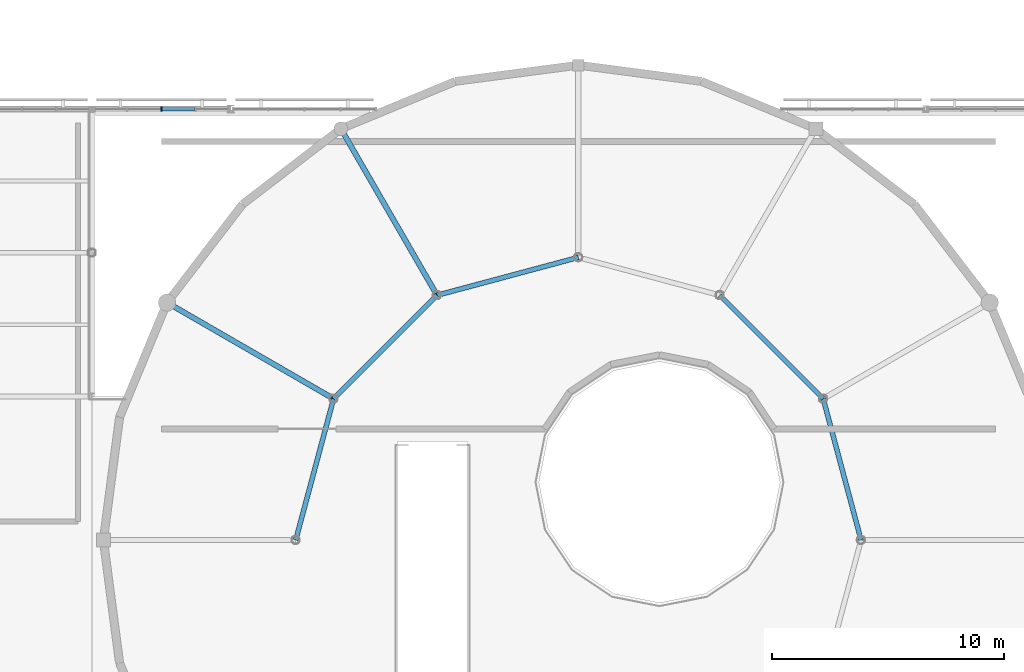
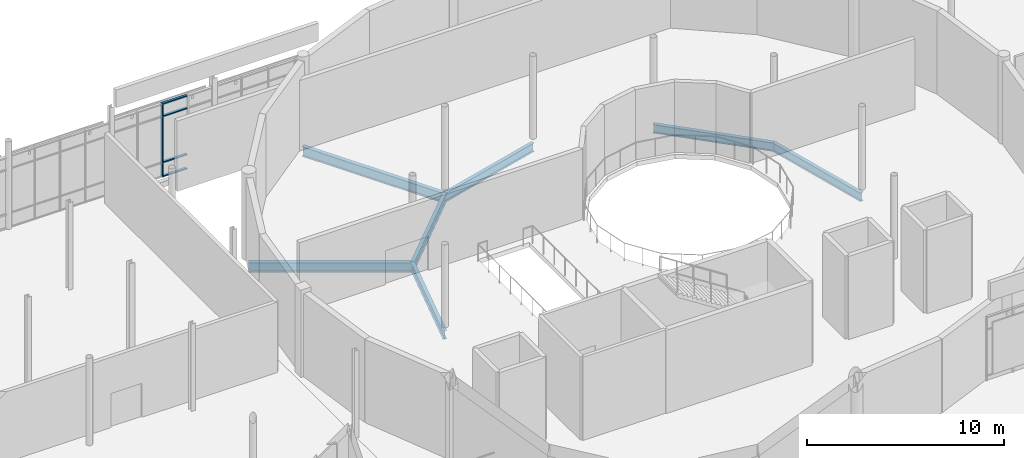
# One storey, part 38 of 105: 7 beams, 5 members, 1 element without a shape of its own.
"""IFC4 building model written with IfcOpenShell, lengths in metres."""

from ifc_helpers import new_model, si_unit, direction, frame, origin, origin_2d, place, context, subcontext, project, spatial, rectangle, i_section, extrude, material, layer, layer_set, material_profile, profile_set, type_object, element, aggregate, save


model = new_model("IFC4")

# Units and contexts
model_context = context("Model", 3, precision=1e-05, world=origin(), true_north=direction((0.0, 1.0)))
body_context = subcontext(model_context, "Body", "Model", "MODEL_VIEW")
ifc_project = project(units=[si_unit("LENGTHUNIT", "METRE"), si_unit("AREAUNIT", "SQUARE_METRE"), si_unit("VOLUMEUNIT", "CUBIC_METRE"), si_unit("PLANEANGLEUNIT", "RADIAN"), si_unit("MASSUNIT", "GRAM", prefix="KILO")], contexts=[model_context])

# Site, building, storey
site_placement = place(None, origin())
site = spatial("IfcSite", under=ifc_project, at=site_placement, CompositionType="ELEMENT")
building_placement = place(site_placement, origin())
building = spatial("IfcBuilding", under=site, at=building_placement, Name="Mirzam Square Science Centre", CompositionType="ELEMENT")
storey_placement = place(building_placement, frame((0.0, 0.0, 5.39990234375)))
storey = spatial("IfcBuildingStorey", under=building, at=storey_placement, Name="L01", CompositionType="ELEMENT", Elevation=5.39990234375)

# Beams
ifc_material_1 = material(Name="Steel S355", Category="steel")
ifc_material_profile_1 = material_profile(ifc_material_1, i_section(OverallWidth=0.2099609375, OverallDepth=0.53662109375, WebThickness=0.0107421875, FlangeThickness=0.017333984375, FilletRadius=0.0126953125, at=origin_2d()), Name="533x210x101UB")
ifc_profile_set_1 = profile_set([ifc_material_profile_1], Name="Steel S355")
beam_type_1 = type_object("IfcBeamType", Name="BM-UB533", PredefinedType="BEAM", material=ifc_profile_set_1)
beam_1_placement = place(storey_placement, frame((93.199951171875, 62.0, -0.548095703125), z_axis=(-0.25881981979, 0.965925618712, 0.0), x_axis=(-0.965925618712, -0.25881981979, 0.0)))
element("IfcBeam", 1, at=beam_1_placement, inside=storey, type_object=beam_type_1, Name="L01 inner drum ring girder 01", PredefinedType="BEAM", context=body_context, shape_type="SweptSolid", body=[
    extrude(i_section(OverallWidth=0.2099609375, OverallDepth=0.53662109375, WebThickness=0.0107421875, FlangeThickness=0.017333984375, FilletRadius=0.0126953125, at=origin_2d()), origin(), (0.0, 0.0, 1.0), 6.315185546875),
])
beam_2_placement = place(storey_placement, frame((91.5654296875, 68.10009765625, -0.548095703125), z_axis=(-0.707106781187, 0.707106781187, 0.0), x_axis=(-0.707106781187, -0.707106781187, 0.0)))
element("IfcBeam", 2, at=beam_2_placement, inside=storey, type_object=beam_type_1, Name="L01 inner drum ring girder 02", PredefinedType="BEAM", context=body_context, shape_type="SweptSolid", body=[
    extrude(i_section(OverallWidth=0.2099609375, OverallDepth=0.53662109375, WebThickness=0.0107421875, FlangeThickness=0.017333984375, FilletRadius=0.0126953125, at=origin_2d()), origin(), (0.0, 0.0, 1.0), 6.31494140625),
])
beam_3_placement = place(storey_placement, frame((81.0, 74.199951171875, -0.548095703125), z_axis=(-0.965925618712, -0.25881981979, 0.0), x_axis=(0.25881981979, -0.965925618712, 0.0)))
element("IfcBeam", 3, at=beam_3_placement, inside=storey, type_object=beam_type_1, Name="L01 inner drum ring girder 04", PredefinedType="BEAM", context=body_context, shape_type="SweptSolid", body=[
    extrude(i_section(OverallWidth=0.2099609375, OverallDepth=0.53662109375, WebThickness=0.0107421875, FlangeThickness=0.017333984375, FilletRadius=0.0126953125, at=origin_2d()), origin(), (0.0, 0.0, 1.0), 6.315185546875),
])
beam_4_placement = place(storey_placement, frame((74.89990234375, 72.5654296875, -0.548095703125), z_axis=(-0.707106781187, -0.707106781187, 0.0), x_axis=(0.707106781187, -0.707106781187, 0.0)))
element("IfcBeam", 4, at=beam_4_placement, inside=storey, type_object=beam_type_1, Name="L01 inner drum ring girder 05", PredefinedType="BEAM", context=body_context, shape_type="SweptSolid", body=[
    extrude(i_section(OverallWidth=0.2099609375, OverallDepth=0.53662109375, WebThickness=0.0107421875, FlangeThickness=0.017333984375, FilletRadius=0.0126953125, at=origin_2d()), origin(), (0.0, 0.0, 1.0), 6.31494140625),
])
beam_5_placement = place(storey_placement, frame((70.4345703125, 68.10009765625, -0.548095703125), z_axis=(-0.25881981979, -0.965925618712, 0.0), x_axis=(0.965925618712, -0.25881981979, 0.0)))
element("IfcBeam", 5, at=beam_5_placement, inside=storey, type_object=beam_type_1, Name="L01 inner drum ring girder 06", PredefinedType="BEAM", context=body_context, shape_type="SweptSolid", body=[
    extrude(i_section(OverallWidth=0.2099609375, OverallDepth=0.53662109375, WebThickness=0.0107421875, FlangeThickness=0.017333984375, FilletRadius=0.0126953125, at=origin_2d()), origin(), (0.0, 0.0, 1.0), 6.315185546875),
])
ifc_material_profile_2 = material_profile(ifc_material_1, i_section(OverallWidth=0.22900390625, OverallDepth=0.6123046875, WebThickness=0.011962890625, FlangeThickness=0.01953125, FilletRadius=0.0126953125, at=origin_2d()), Name="610x229x125UB")
ifc_profile_set_2 = profile_set([ifc_material_profile_2], Name="Steel S355")
beam_type_2 = type_object("IfcBeamType", Name="BM-UB610", PredefinedType="BEAM", material=ifc_profile_set_2)
for number, where, z_axis, x_axis, name in (
    (6, (74.89990234375, 72.5654296875, -0.5859375), (-0.499992353047, 0.86602981871, 0.0), (-0.86602981871, -0.499992353047, 0.0), "L01 drum radial girder 05"),
    (7, (70.4345703125, 68.10009765625, -0.5859375), (-0.86602981871, 0.499992353047, 0.0), (-0.499992353047, -0.86602981871, 0.0), "L01 drum radial girder 06"),
):
    element("IfcBeam", number, at=place(storey_placement, frame(where, z_axis=z_axis, x_axis=x_axis)), inside=storey, type_object=beam_type_2, Name=name, PredefinedType="BEAM", context=body_context, shape_type="SweptSolid", body=[
        extrude(i_section(OverallWidth=0.22900390625, OverallDepth=0.6123046875, WebThickness=0.011962890625, FlangeThickness=0.01953125, FilletRadius=0.0126953125, at=origin_2d()), origin(), (0.0, 0.0, 1.0), 8.300048828125),
    ])

# Curtain wall, members
ifc_material_2 = material(Name="Anodised Aluminium and Low-E Solar Glass", Category="aluminium")
ifc_layer = layer(ifc_material_2, 0.159912109375)
ifc_layer_set = layer_set([ifc_layer], Name="CW-COURT-A")
curtain_wall_type = type_object("IfcCurtainWallType", Name="CW-COURT-A", PredefinedType="USERDEFINED", material=ifc_layer_set)
curtain_wall_placement = place(storey_placement, origin())
curtain_wall = element("IfcCurtainWall", 8, at=curtain_wall_placement, inside=storey, type_object=curtain_wall_type, Name="L01 unitised curtain wall 50", ObjectType="UNITISED CURTAIN WALL", PredefinedType="USERDEFINED")
ifc_material_3 = material(Name="Anodised Architectural Aluminium 6063-T6", Category="aluminium")
ifc_material_profile_3 = material_profile(ifc_material_3, rectangle(XDim=0.06494140625, YDim=0.199951171875, at=origin_2d()), Name="ALU-MULL-200x65x5")
ifc_profile_set_3 = profile_set([ifc_material_profile_3], Name="Anodised Architectural Aluminium 6063-T6")
member_type_1 = type_object("IfcMemberType", Name="CWM-200", PredefinedType="MULLION", material=ifc_profile_set_3)
member_1_placement = place(storey_placement, frame((63.0, 80.60009765625, 0.0), z_axis=(0.0, 0.0, 1.0), x_axis=(-1.0, 0.0, 0.0)))
member_1 = element("IfcMember", 9, at=member_1_placement, type_object=member_type_1, Name="CW-03 mullion 3", PredefinedType="MULLION", context=body_context, shape_type="SweptSolid", body=[
    extrude(rectangle(XDim=0.06494140625, YDim=0.199951171875, at=origin_2d()), origin(), (0.0, 0.0, 1.0), 4.550048828125),
])
ifc_material_profile_4 = material_profile(ifc_material_3, rectangle(XDim=0.14990234375, YDim=0.06494140625, at=origin_2d()), Name="ALU-TRAN-150x65x4")
ifc_profile_set_4 = profile_set([ifc_material_profile_4], Name="Anodised Architectural Aluminium 6063-T6")
member_type_2 = type_object("IfcMemberType", Name="CWT-150", PredefinedType="USERDEFINED", material=ifc_profile_set_4)
member_2_placement = place(storey_placement, frame((64.43994140625, 80.60009765625, 0.03271484375), z_axis=(-1.0, 0.0, 0.0), x_axis=(0.0, -1.0, 0.0)))
member_2 = element("IfcMember", 10, at=member_2_placement, type_object=member_type_2, Name="CW-03 transom 2.1", ObjectType="TRANSOM", PredefinedType="USERDEFINED", context=body_context, shape_type="SweptSolid", body=[
    extrude(rectangle(XDim=0.14990234375, YDim=0.06494140625, at=origin_2d()), origin(), (0.0, 0.0, 1.0), 1.407470703125),
])
member_3_placement = place(storey_placement, frame((64.43994140625, 80.60009765625, 0.900146484375), z_axis=(-1.0, 0.0, 0.0), x_axis=(0.0, -1.0, 0.0)))
member_3 = element("IfcMember", 11, at=member_3_placement, type_object=member_type_2, Name="CW-03 transom 2.2", ObjectType="TRANSOM", PredefinedType="USERDEFINED", context=body_context, shape_type="SweptSolid", body=[
    extrude(rectangle(XDim=0.14990234375, YDim=0.06494140625, at=origin_2d()), origin(), (0.0, 0.0, 1.0), 1.407470703125),
])
member_4_placement = place(storey_placement, frame((64.43994140625, 80.60009765625, 3.75), z_axis=(-1.0, 0.0, 0.0), x_axis=(0.0, -1.0, 0.0)))
member_4 = element("IfcMember", 12, at=member_4_placement, type_object=member_type_2, Name="CW-03 transom 2.3", ObjectType="TRANSOM", PredefinedType="USERDEFINED", context=body_context, shape_type="SweptSolid", body=[
    extrude(rectangle(XDim=0.14990234375, YDim=0.06494140625, at=origin_2d()), origin(), (0.0, 0.0, 1.0), 1.407470703125),
])
member_5_placement = place(storey_placement, frame((64.43994140625, 80.60009765625, 4.517578125), z_axis=(-1.0, 0.0, 0.0), x_axis=(0.0, -1.0, 0.0)))
member_5 = element("IfcMember", 13, at=member_5_placement, type_object=member_type_2, Name="CW-03 transom 2.4", ObjectType="TRANSOM", PredefinedType="USERDEFINED", context=body_context, shape_type="SweptSolid", body=[
    extrude(rectangle(XDim=0.14990234375, YDim=0.06494140625, at=origin_2d()), origin(), (0.0, 0.0, 1.0), 1.407470703125),
])
aggregate(curtain_wall, [member_1, member_2, member_3, member_4, member_5])

save(model, "model.ifc")
